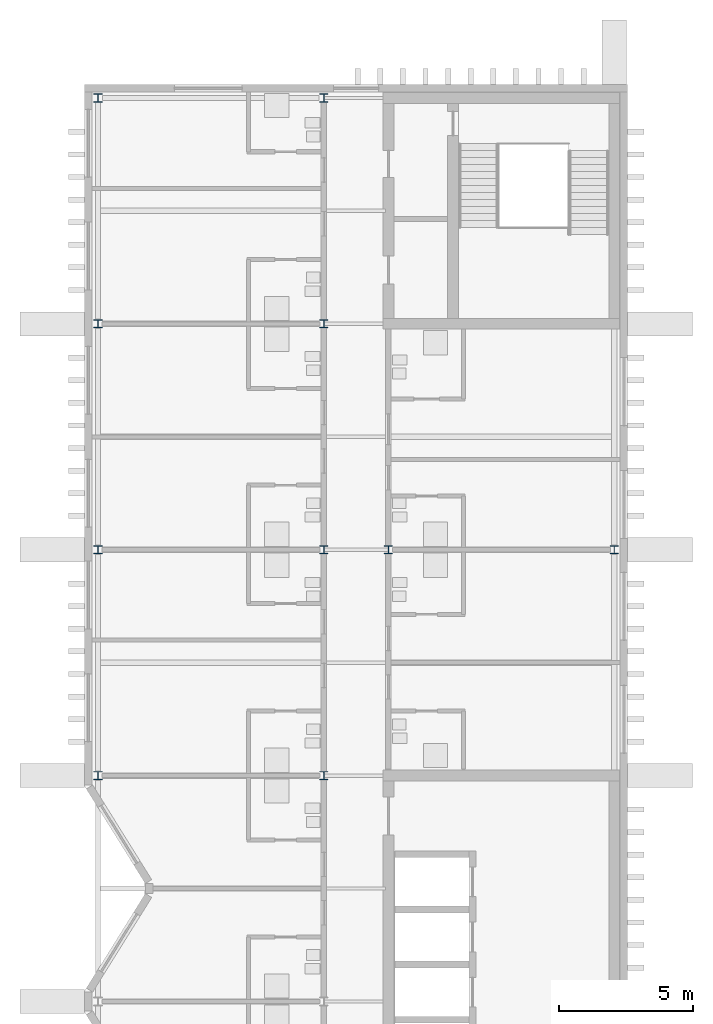
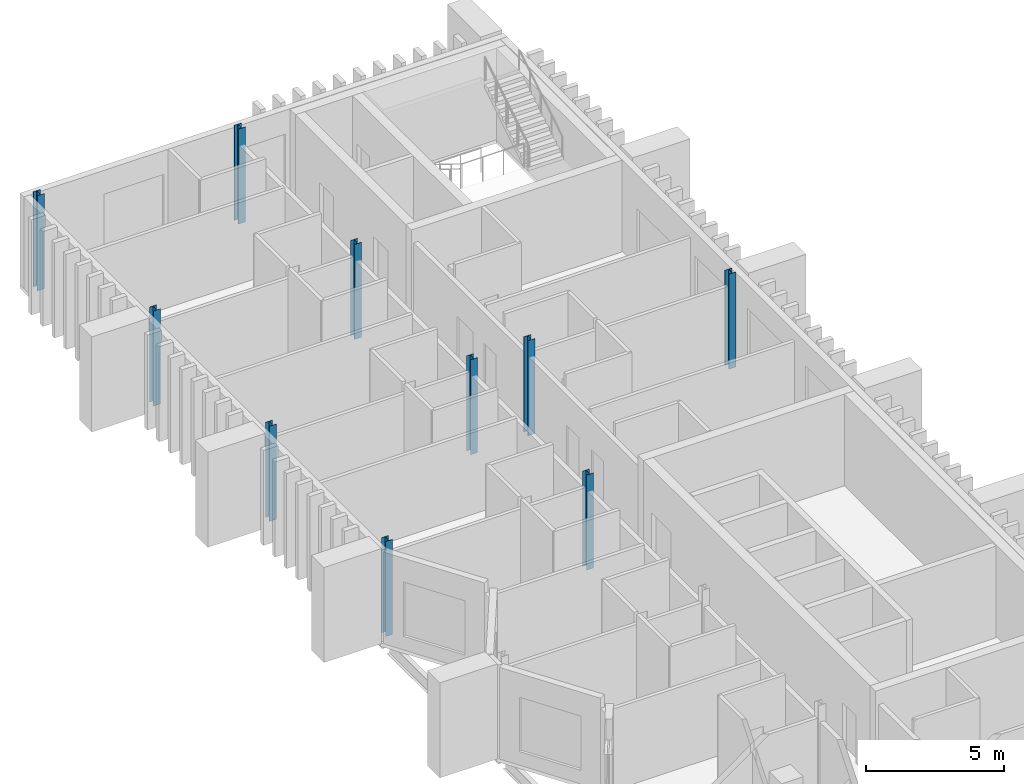
# One storey, part 2 of 11: 10 columns.
"""IFC4 building model written with IfcOpenShell, lengths in metres."""

from ifc_helpers import new_model, si_unit, direction, frame, origin, origin_2d, place, context, subcontext, project, spatial, i_section, extrude, material, material_profile, profile_set, type_object, element, save


model = new_model("IFC4")

# Units and contexts
model_context = context("Model", 3, precision=1e-05, world=origin(), true_north=direction((0.0, 1.0)))
body_context = subcontext(model_context, "Body", "Model", "MODEL_VIEW")
ifc_project = project(units=[si_unit("LENGTHUNIT", "METRE"), si_unit("AREAUNIT", "SQUARE_METRE"), si_unit("VOLUMEUNIT", "CUBIC_METRE"), si_unit("PLANEANGLEUNIT", "RADIAN"), si_unit("MASSUNIT", "GRAM", prefix="KILO")], contexts=[model_context])

# Site, building, storey
site_placement = place(None, origin())
site = spatial("IfcSite", under=ifc_project, at=site_placement, CompositionType="ELEMENT")
building_placement = place(site_placement, origin())
building = spatial("IfcBuilding", under=site, at=building_placement, Name="Cresset Court Congress Hotel", CompositionType="ELEMENT")
storey_placement = place(building_placement, frame((0.0, 0.0, 52.199951171875)))
storey = spatial("IfcBuildingStorey", under=building, at=storey_placement, Name="L12", CompositionType="ELEMENT", Elevation=52.199951171875)

# Columns
ifc_material = material(Name="Structural steel Q355B", Category="steel")
ifc_material_profile = material_profile(ifc_material, i_section(OverallWidth=0.300048828125, OverallDepth=0.300048828125, WebThickness=0.010009765625, FlangeThickness=0.014892578125, FilletRadius=0.012939453125, at=origin_2d()), Name="HW300x300x10x15")
ifc_profile_set = profile_set([ifc_material_profile], Name="Structural steel Q355B")
column_type = type_object("IfcColumnType", Name="Steel column HW300x300x10x15", PredefinedType="COLUMN", material=ifc_profile_set)
for number, where, z_axis, x_axis, name in (
    (1, (157.199951171875, 42.0, 0.0), (0.0, 0.0, 1.0), (1.0, 0.0, 0.0), "Column L12 6-20"),
    (2, (157.199951171875, 50.39990234375, 0.0), (0.0, 0.0, 1.0), (1.0, 0.0, 0.0), "Column L12 7-20"),
    (3, (157.199951171875, 58.800048828125, 0.0), (0.0, 0.0, 1.0), (1.0, 0.0, 0.0), "Column L12 8-20"),
    (4, (157.199951171875, 67.199951171875, 0.0), (0.0, 0.0, 1.0), (1.0, 0.0, 0.0), "Column L12 9-20"),
    (5, (165.60009765625, 42.0, 0.0), (0.0, 0.0, 1.0), (1.0, 0.0, 0.0), "Column L12 6-21"),
    (6, (165.60009765625, 50.39990234375, 0.0), (0.0, 0.0, 1.0), (1.0, 0.0, 0.0), "Column L12 7-21"),
    (7, (165.60009765625, 58.800048828125, 0.0), (0.0, 0.0, 1.0), (1.0, 0.0, 0.0), "Column L12 8-21"),
    (8, (165.60009765625, 67.199951171875, 0.0), (0.0, 0.0, 1.0), (1.0, 0.0, 0.0), "Column L12 9-21"),
    (9, (168.0, 50.39990234375, 0.0), (0.0, 0.0, 1.0), (1.0, 0.0, 0.0), "Column L12 7-22"),
    (10, (176.39990234375, 50.39990234375, 0.0), (0.0, 0.0, 1.0), (1.0, 0.0, 0.0), "Column L12 7-23"),
):
    element("IfcColumn", number, at=place(storey_placement, frame(where, z_axis=z_axis, x_axis=x_axis)), inside=storey, type_object=column_type, Name=name, PredefinedType="COLUMN", context=body_context, shape_type="SweptSolid", body=[
        extrude(i_section(OverallWidth=0.300048828125, OverallDepth=0.300048828125, WebThickness=0.010009765625, FlangeThickness=0.014892578125, FilletRadius=0.012939453125, at=origin_2d()), origin(), (0.0, 0.0, 1.0), 4.199951171875),
    ])

save(model, "model.ifc")
